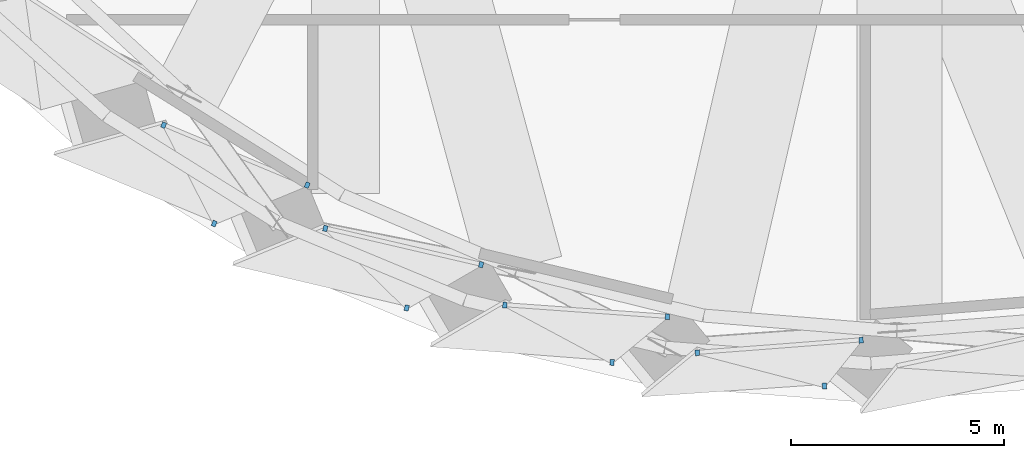
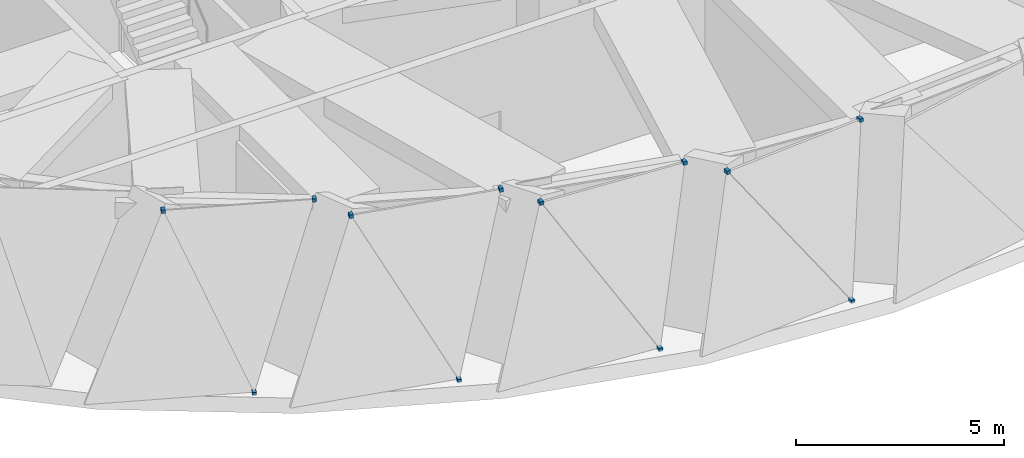
# One storey, part 13 of 15: 12 discrete accessories.
"""IFC4 building model written with IfcOpenShell, lengths in metres."""

from ifc_helpers import new_model, si_unit, direction, frame, origin, origin_2d, place, context, subcontext, project, spatial, rectangle, extrude, material, type_object, element, save


model = new_model("IFC4")

# Units and contexts
model_context = context("Model", 3, precision=1e-05, world=origin(), true_north=direction((0.0, 1.0)))
body_context = subcontext(model_context, "Body", "Model", "MODEL_VIEW")
ifc_project = project(units=[si_unit("LENGTHUNIT", "METRE"), si_unit("AREAUNIT", "SQUARE_METRE"), si_unit("VOLUMEUNIT", "CUBIC_METRE"), si_unit("PLANEANGLEUNIT", "RADIAN"), si_unit("MASSUNIT", "GRAM", prefix="KILO")], contexts=[model_context])

# Site, building, storey
site_placement = place(None, origin())
site = spatial("IfcSite", under=ifc_project, at=site_placement, CompositionType="ELEMENT")
building_placement = place(site_placement, origin())
building = spatial("IfcBuilding", under=site, at=building_placement, Name="Taillehof Tower", CompositionType="ELEMENT")
storey_placement = place(building_placement, frame((0.0, 0.0, 84.39990234375)))
storey = spatial("IfcBuildingStorey", under=building, at=storey_placement, Name="L23", CompositionType="ELEMENT", Elevation=84.39990234375)

# Discrete accessories
ifc_material = material(Name="Steel S460M", Category="steel")
discrete_accessory_type = type_object("IfcDiscreteAccessoryType", Name="Steel bracket", PredefinedType="BRACKET", material=ifc_material)
for number, where, z_axis, x_axis, name in (
    (1, (-15.318115234375, -21.793701171875, -0.03564453125), (0.0, 0.0, 1.0), (-0.385471263659, -0.922719840955, 0.0), "Louvre panel standoff L23 bay 24b"),
    (2, (-13.12890625, -20.888671875, 4.324462890625), (0.0, 0.0, 1.0), (-0.385471263659, -0.922719840955, 0.0), "Louvre panel standoff L23 bay 24b"),
    (3, (-16.50634765625, -19.4775390625, 4.324462890625), (0.0, 0.0, 1.0), (-0.385471263659, -0.922719840955, 0.0), "Louvre panel standoff L23 bay 24b"),
):
    element("IfcDiscreteAccessory", number, at=place(storey_placement, frame(where, z_axis=z_axis, x_axis=x_axis)), inside=storey, type_object=discrete_accessory_type, Name=name, PredefinedType="BRACKET", context=body_context, shape_type="SweptSolid", body=[
        extrude(rectangle(XDim=0.134765625, YDim=0.10009765625, at=origin_2d()), origin(), (0.0, 0.0, 1.0), 0.10009765625),
    ])
for number, where, z_axis, x_axis, name in (
    (4, (-10.788818359375, -23.77880859375, -0.037841796875), (0.0, 0.0, 1.0), (-0.226654707253, -0.973975176111, 0.0), "Louvre panel standoff L23 bay 25b"),
    (5, (-9.0390625, -22.760498046875, 4.322265625), (0.0, 0.0, 1.0), (-0.226654707253, -0.973975176111, 0.0), "Louvre panel standoff L23 bay 25b"),
    (6, (-12.702880859375, -21.90771484375, 4.322265625), (0.0, 0.0, 1.0), (-0.226654707253, -0.973975176111, 0.0), "Louvre panel standoff L23 bay 25b"),
):
    element("IfcDiscreteAccessory", number, at=place(storey_placement, frame(where, z_axis=z_axis, x_axis=x_axis)), inside=storey, type_object=discrete_accessory_type, Name=name, PredefinedType="BRACKET", context=body_context, shape_type="SweptSolid", body=[
        extrude(rectangle(XDim=0.13623046875, YDim=0.10009765625, at=origin_2d()), origin(), (0.0, 0.0, 1.0), 0.10009765625),
    ])
for number, where, z_axis, x_axis, name in (
    (7, (-5.95947265625, -25.0595703125, -0.03955078125), (0.0, 0.0, 1.0), (-0.071069185562, -0.997471388494, 0.0), "Louvre panel standoff L23 bay 26b"),
    (8, (-4.65771484375, -23.98486328125, 4.3203125), (0.0, 0.0, 1.0), (-0.071069185562, -0.997471388494, 0.0), "Louvre panel standoff L23 bay 26b"),
    (9, (-8.479736328125, -23.71240234375, 4.3203125), (0.0, 0.0, 1.0), (-0.071069185562, -0.997471388494, 0.0), "Louvre panel standoff L23 bay 26b"),
):
    element("IfcDiscreteAccessory", number, at=place(storey_placement, frame(where, z_axis=z_axis, x_axis=x_axis)), inside=storey, type_object=discrete_accessory_type, Name=name, PredefinedType="BRACKET", context=body_context, shape_type="SweptSolid", body=[
        extrude(rectangle(XDim=0.13720703125, YDim=0.10009765625, at=origin_2d()), origin(), (0.0, 0.0, 1.0), 0.10009765625),
    ])
for number, where, z_axis, x_axis, name in (
    (10, (-0.962646484375, -25.615478515625, -0.041015625), (0.0, 0.0, 1.0), (0.076442335708, -0.997074003929, 0.0), "Louvre panel standoff L23 bay 27b"),
    (11, (-0.100830078125, -24.5380859375, 4.319091796875), (0.0, 0.0, 1.0), (0.076442335708, -0.997074003929, 0.0), "Louvre panel standoff L23 bay 27b"),
    (12, (-3.95166015625, -24.83349609375, 4.319091796875), (0.0, 0.0, 1.0), (0.076442335708, -0.997074003929, 0.0), "Louvre panel standoff L23 bay 27b"),
):
    element("IfcDiscreteAccessory", number, at=place(storey_placement, frame(where, z_axis=z_axis, x_axis=x_axis)), inside=storey, type_object=discrete_accessory_type, Name=name, PredefinedType="BRACKET", context=body_context, shape_type="SweptSolid", body=[
        extrude(rectangle(XDim=0.137939453125, YDim=0.10009765625, at=origin_2d()), origin(), (0.0, 0.0, 1.0), 0.10009765625),
    ])

save(model, "model.ifc")
